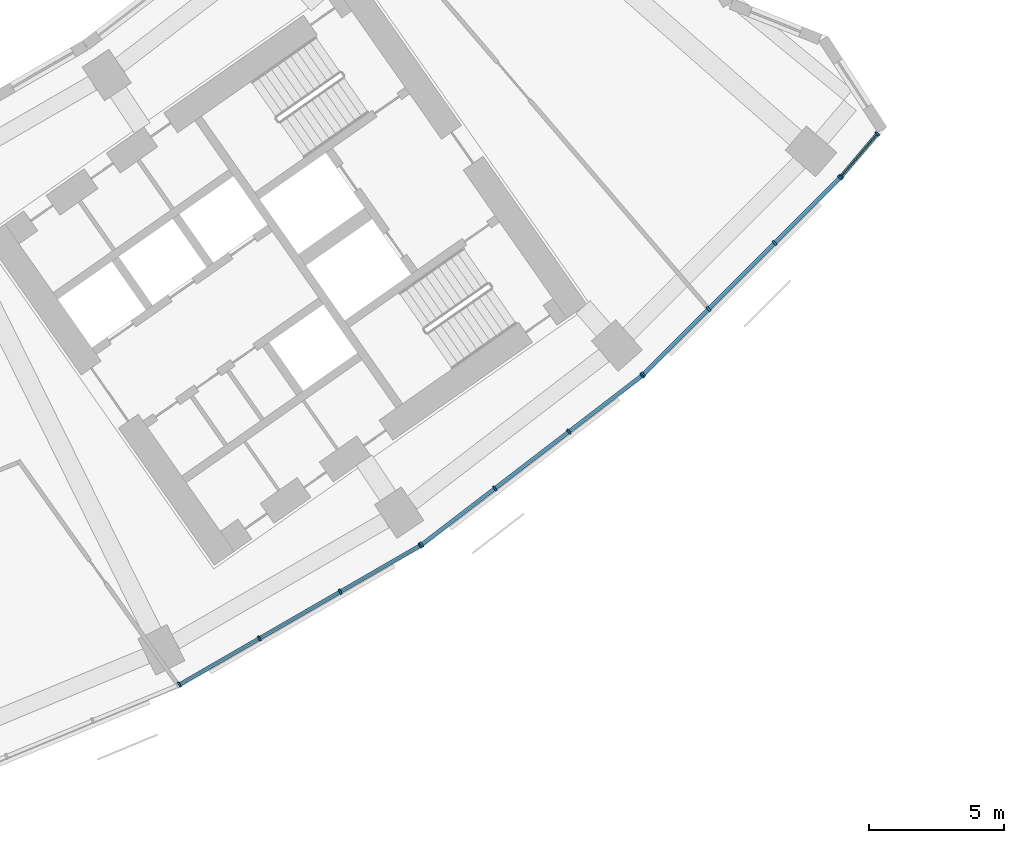
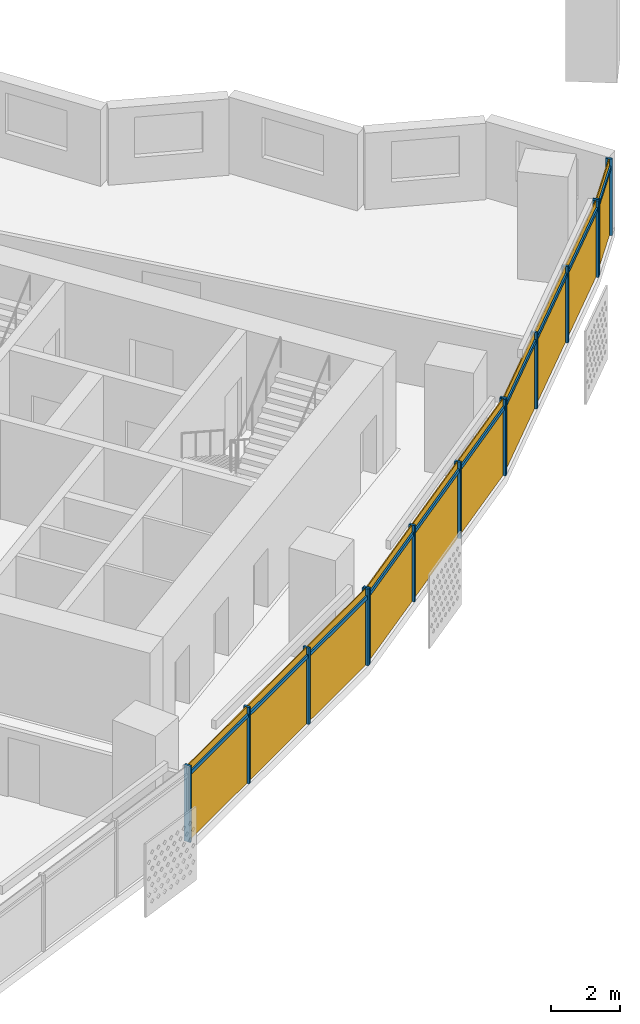
# One storey, part 22 of 29: 24 members, 4 curtain walls.
"""IFC4 building model written with IfcOpenShell, lengths in metres."""

from ifc_helpers import new_model, si_unit, direction, frame, origin, origin_2d, place, context, subcontext, project, spatial, rectangle, extrude, material, material_profile, profile_set, type_object, element, aggregate, save


model = new_model("IFC4")

# Units and contexts
model_context = context("Model", 3, precision=1e-05, world=origin(), true_north=direction((0.0, 1.0)))
body_context = subcontext(model_context, "Body", "Model", "MODEL_VIEW")
ifc_project = project(units=[si_unit("LENGTHUNIT", "METRE"), si_unit("AREAUNIT", "SQUARE_METRE"), si_unit("VOLUMEUNIT", "CUBIC_METRE"), si_unit("PLANEANGLEUNIT", "RADIAN"), si_unit("MASSUNIT", "GRAM", prefix="KILO")], contexts=[model_context])

# Member
ifc_material = material(Name="Aluminium 6063-T6 anodised", Category="aluminium")
ifc_material_profile_1 = material_profile(ifc_material, rectangle(XDim=0.199951171875, YDim=0.070068359375, at=origin_2d()))
ifc_profile_set_1 = profile_set([ifc_material_profile_1], Name="Aluminium 6063-T6 anodised")
member_type_1 = type_object("IfcMemberType", Name="Mullion 70 x 200 aluminium", PredefinedType="MULLION", material=ifc_profile_set_1)
site_placement = place(None, origin())
building_placement = place(site_placement, origin())
storey_placement = place(building_placement, frame((0.0, 0.0, 113.89990234375)))
member_1_placement = place(storey_placement, frame((35.0537109375, -71.017822265625, 0.0), z_axis=(0.0, 0.0, 1.0), x_axis=(-0.5, 0.866025403784, 0.0)))
member_1 = element("IfcMember", 1, at=member_1_placement, type_object=member_type_1, Name="e-cw1-L25-out13/M00", PredefinedType="MULLION", context=body_context, shape_type="SweptSolid", body=[
    extrude(rectangle(XDim=0.199951171875, YDim=0.070068359375, at=origin_2d()), origin(), (0.0, 0.0, 1.0), 2.7001953125),
])

member_2_placement = place(storey_placement, frame((38.017822265625, -69.306640625, 0.0), z_axis=(0.0, 0.0, 1.0), x_axis=(-0.5, 0.866025403784, 0.0)))
member_2 = element("IfcMember", 2, at=member_2_placement, type_object=member_type_1, Name="e-cw1-L25-out13/M01", PredefinedType="MULLION", context=body_context, shape_type="SweptSolid", body=[
    extrude(rectangle(XDim=0.199951171875, YDim=0.070068359375, at=origin_2d()), origin(), (0.0, 0.0, 1.0), 2.7001953125),
])

member_3_placement = place(storey_placement, frame((41.01220703125, -67.577880859375, 0.0), z_axis=(0.0, 0.0, 1.0), x_axis=(-0.5, 0.866025403784, 0.0)))
member_3 = element("IfcMember", 3, at=member_3_placement, type_object=member_type_1, Name="e-cw1-L25-out13/M02", PredefinedType="MULLION", context=body_context, shape_type="SweptSolid", body=[
    extrude(rectangle(XDim=0.199951171875, YDim=0.070068359375, at=origin_2d()), origin(), (0.0, 0.0, 1.0), 2.7001953125),
])

member_4_placement = place(storey_placement, frame((43.976318359375, -65.866455078125, 0.0), z_axis=(0.0, 0.0, 1.0), x_axis=(-0.5, 0.866025403784, 0.0)))
member_4 = element("IfcMember", 4, at=member_4_placement, type_object=member_type_1, Name="e-cw1-L25-out13/M03", PredefinedType="MULLION", context=body_context, shape_type="SweptSolid", body=[
    extrude(rectangle(XDim=0.199951171875, YDim=0.070068359375, at=origin_2d()), origin(), (0.0, 0.0, 1.0), 2.7001953125),
])

member_5_placement = place(storey_placement, frame((44.023681640625, -65.8349609375, 0.0), z_axis=(0.0, 0.0, 1.0), x_axis=(-0.608761429009, 0.793353340291, 0.0)))
member_5 = element("IfcMember", 5, at=member_5_placement, type_object=member_type_1, Name="e-cw1-L25-out14/M00", PredefinedType="MULLION", context=body_context, shape_type="SweptSolid", body=[
    extrude(rectangle(XDim=0.199951171875, YDim=0.070068359375, at=origin_2d()), origin(), (0.0, 0.0, 1.0), 2.7001953125),
])

member_6_placement = place(storey_placement, frame((46.739013671875, -63.751220703125, 0.0), z_axis=(0.0, 0.0, 1.0), x_axis=(-0.608761429009, 0.793353340291, 0.0)))
member_6 = element("IfcMember", 6, at=member_6_placement, type_object=member_type_1, Name="e-cw1-L25-out14/M01", PredefinedType="MULLION", context=body_context, shape_type="SweptSolid", body=[
    extrude(rectangle(XDim=0.199951171875, YDim=0.070068359375, at=origin_2d()), origin(), (0.0, 0.0, 1.0), 2.7001953125),
])

member_7_placement = place(storey_placement, frame((49.482177734375, -61.646484375, 0.0), z_axis=(0.0, 0.0, 1.0), x_axis=(-0.608761429009, 0.793353340291, 0.0)))
member_7 = element("IfcMember", 7, at=member_7_placement, type_object=member_type_1, Name="e-cw1-L25-out14/M02", PredefinedType="MULLION", context=body_context, shape_type="SweptSolid", body=[
    extrude(rectangle(XDim=0.199951171875, YDim=0.070068359375, at=origin_2d()), origin(), (0.0, 0.0, 1.0), 2.7001953125),
])

member_8_placement = place(storey_placement, frame((52.197509765625, -59.56298828125, 0.0), z_axis=(0.0, 0.0, 1.0), x_axis=(-0.608761429009, 0.793353340291, 0.0)))
member_8 = element("IfcMember", 8, at=member_8_placement, type_object=member_type_1, Name="e-cw1-L25-out14/M03", PredefinedType="MULLION", context=body_context, shape_type="SweptSolid", body=[
    extrude(rectangle(XDim=0.199951171875, YDim=0.070068359375, at=origin_2d()), origin(), (0.0, 0.0, 1.0), 2.7001953125),
])

member_9_placement = place(storey_placement, frame((52.240234375, -59.525390625, 0.0), z_axis=(0.0, 0.0, 1.0), x_axis=(-0.707106781187, 0.707106781187, 0.0)))
member_9 = element("IfcMember", 9, at=member_9_placement, type_object=member_type_1, Name="e-cw1-L25-out15/M00", PredefinedType="MULLION", context=body_context, shape_type="SweptSolid", body=[
    extrude(rectangle(XDim=0.199951171875, YDim=0.070068359375, at=origin_2d()), origin(), (0.0, 0.0, 1.0), 2.7001953125),
])

member_10_placement = place(storey_placement, frame((54.660400390625, -57.105224609375, 0.0), z_axis=(0.0, 0.0, 1.0), x_axis=(-0.707106781187, 0.707106781187, 0.0)))
member_10 = element("IfcMember", 10, at=member_10_placement, type_object=member_type_1, Name="e-cw1-L25-out15/M01", PredefinedType="MULLION", context=body_context, shape_type="SweptSolid", body=[
    extrude(rectangle(XDim=0.199951171875, YDim=0.070068359375, at=origin_2d()), origin(), (0.0, 0.0, 1.0), 2.7001953125),
])

member_11_placement = place(storey_placement, frame((57.105224609375, -54.660400390625, 0.0), z_axis=(0.0, 0.0, 1.0), x_axis=(-0.707106781187, 0.707106781187, 0.0)))
member_11 = element("IfcMember", 11, at=member_11_placement, type_object=member_type_1, Name="e-cw1-L25-out15/M02", PredefinedType="MULLION", context=body_context, shape_type="SweptSolid", body=[
    extrude(rectangle(XDim=0.199951171875, YDim=0.070068359375, at=origin_2d()), origin(), (0.0, 0.0, 1.0), 2.7001953125),
])

member_12_placement = place(storey_placement, frame((59.525390625, -52.240234375, 0.0), z_axis=(0.0, 0.0, 1.0), x_axis=(-0.707106781187, 0.707106781187, 0.0)))
member_12 = element("IfcMember", 12, at=member_12_placement, type_object=member_type_1, Name="e-cw1-L25-out15/M03", PredefinedType="MULLION", context=body_context, shape_type="SweptSolid", body=[
    extrude(rectangle(XDim=0.199951171875, YDim=0.070068359375, at=origin_2d()), origin(), (0.0, 0.0, 1.0), 2.7001953125),
])

member_13_placement = place(storey_placement, frame((59.5673828125, -52.19482421875, 0.0), z_axis=(0.0, 0.0, 1.0), x_axis=(-0.762284036665, 0.647242649588, 0.0)))
member_13 = element("IfcMember", 13, at=member_13_placement, type_object=member_type_1, Name="e-cw1-L25-out16/M00", PredefinedType="MULLION", context=body_context, shape_type="SweptSolid", body=[
    extrude(rectangle(XDim=0.199951171875, YDim=0.070068359375, at=origin_2d()), origin(), (0.0, 0.0, 1.0), 2.7001953125),
])

member_14_placement = place(storey_placement, frame((60.913818359375, -50.60888671875, 0.0), z_axis=(0.0, 0.0, 1.0), x_axis=(-0.762284036665, 0.647242649588, 0.0)))
member_14 = element("IfcMember", 14, at=member_14_placement, type_object=member_type_1, Name="e-cw1-L25-out16/M01", PredefinedType="MULLION", context=body_context, shape_type="SweptSolid", body=[
    extrude(rectangle(XDim=0.199951171875, YDim=0.070068359375, at=origin_2d()), origin(), (0.0, 0.0, 1.0), 2.7001953125),
])

ifc_material_profile_2 = material_profile(ifc_material, rectangle(XDim=0.139892578125, YDim=0.1201171875, at=origin_2d()))
ifc_profile_set_2 = profile_set([ifc_material_profile_2], Name="Aluminium 6063-T6 anodised")
member_type_2 = type_object("IfcMemberType", Name="Transom 120 x 140 aluminium", PredefinedType="USERDEFINED", material=ifc_profile_set_2)
member_15_placement = place(storey_placement, frame((35.084228515625, -71.00048828125, 2.400146484375), z_axis=(0.865989120267, 0.50006283963, 0.0), x_axis=(-0.50006283963, 0.865989120267, 0.0)))
member_15 = element("IfcMember", 15, at=member_15_placement, type_object=member_type_2, Name="e-cw1-L25-out13/T00", ObjectType="TRANSOM", PredefinedType="USERDEFINED", context=body_context, shape_type="SweptSolid", body=[
    extrude(rectangle(XDim=0.139892578125, YDim=0.1201171875, at=origin_2d()), origin(), (0.0, 0.0, 1.0), 3.3525390625),
])

member_16_placement = place(storey_placement, frame((38.048095703125, -69.2890625, 2.400146484375), z_axis=(0.866025971257, 0.499999017107, 0.0), x_axis=(-0.499999017107, 0.866025971257, 0.0)))
member_16 = element("IfcMember", 16, at=member_16_placement, type_object=member_type_2, Name="e-cw1-L25-out13/T01", ObjectType="TRANSOM", PredefinedType="USERDEFINED", context=body_context, shape_type="SweptSolid", body=[
    extrude(rectangle(XDim=0.139892578125, YDim=0.1201171875, at=origin_2d()), origin(), (0.0, 0.0, 1.0), 3.3876953125),
])

member_17_placement = place(storey_placement, frame((41.042724609375, -67.560302734375, 2.400146484375), z_axis=(0.866020654818, 0.50000822536, 0.0), x_axis=(-0.50000822536, 0.866020654818, 0.0)))
member_17 = element("IfcMember", 17, at=member_17_placement, type_object=member_type_2, Name="e-cw1-L25-out13/T02", ObjectType="TRANSOM", PredefinedType="USERDEFINED", context=body_context, shape_type="SweptSolid", body=[
    extrude(rectangle(XDim=0.139892578125, YDim=0.1201171875, at=origin_2d()), origin(), (0.0, 0.0, 1.0), 3.3525390625),
])

member_18_placement = place(storey_placement, frame((44.05126953125, -65.8134765625, 2.400146484375), z_axis=(0.793389477316, 0.608714331426, 0.0), x_axis=(-0.608714331426, 0.793389477316, 0.0)))
member_18 = element("IfcMember", 18, at=member_18_placement, type_object=member_type_2, Name="e-cw1-L25-out14/T00", ObjectType="TRANSOM", PredefinedType="USERDEFINED", context=body_context, shape_type="SweptSolid", body=[
    extrude(rectangle(XDim=0.139892578125, YDim=0.1201171875, at=origin_2d()), origin(), (0.0, 0.0, 1.0), 3.3525390625),
])

member_19_placement = place(storey_placement, frame((46.766845703125, -63.72998046875, 2.400146484375), z_axis=(0.793344133173, 0.608773427772, 0.0), x_axis=(-0.608773427772, 0.793344133173, 0.0)))
member_19 = element("IfcMember", 19, at=member_19_placement, type_object=member_type_2, Name="e-cw1-L25-out14/T01", ObjectType="TRANSOM", PredefinedType="USERDEFINED", context=body_context, shape_type="SweptSolid", body=[
    extrude(rectangle(XDim=0.139892578125, YDim=0.1201171875, at=origin_2d()), origin(), (0.0, 0.0, 1.0), 3.387451171875),
])

member_20_placement = place(storey_placement, frame((49.509765625, -61.625244140625, 2.400146484375), z_axis=(0.793354308621, 0.608760167055, 0.0), x_axis=(-0.608760167055, 0.793354308621, 0.0)))
member_20 = element("IfcMember", 20, at=member_20_placement, type_object=member_type_2, Name="e-cw1-L25-out14/T02", ObjectType="TRANSOM", PredefinedType="USERDEFINED", context=body_context, shape_type="SweptSolid", body=[
    extrude(rectangle(XDim=0.139892578125, YDim=0.1201171875, at=origin_2d()), origin(), (0.0, 0.0, 1.0), 3.352783203125),
])

member_21_placement = place(storey_placement, frame((52.264892578125, -59.500732421875, 2.400146484375), z_axis=(0.707106781187, 0.707106781187, 0.0), x_axis=(-0.707106781187, 0.707106781187, 0.0)))
member_21 = element("IfcMember", 21, at=member_21_placement, type_object=member_type_2, Name="e-cw1-L25-out15/T00", ObjectType="TRANSOM", PredefinedType="USERDEFINED", context=body_context, shape_type="SweptSolid", body=[
    extrude(rectangle(XDim=0.139892578125, YDim=0.1201171875, at=origin_2d()), origin(), (0.0, 0.0, 1.0), 3.3525390625),
])

member_22_placement = place(storey_placement, frame((54.68505859375, -57.08056640625, 2.400146484375), z_axis=(0.707106781187, 0.707106781187, 0.0), x_axis=(-0.707106781187, 0.707106781187, 0.0)))
member_22 = element("IfcMember", 22, at=member_22_placement, type_object=member_type_2, Name="e-cw1-L25-out15/T01", ObjectType="TRANSOM", PredefinedType="USERDEFINED", context=body_context, shape_type="SweptSolid", body=[
    extrude(rectangle(XDim=0.139892578125, YDim=0.1201171875, at=origin_2d()), origin(), (0.0, 0.0, 1.0), 3.3876953125),
])

member_23_placement = place(storey_placement, frame((57.130126953125, -54.635498046875, 2.400146484375), z_axis=(0.707106781187, 0.707106781187, 0.0), x_axis=(-0.707106781187, 0.707106781187, 0.0)))
member_23 = element("IfcMember", 23, at=member_23_placement, type_object=member_type_2, Name="e-cw1-L25-out15/T02", ObjectType="TRANSOM", PredefinedType="USERDEFINED", context=body_context, shape_type="SweptSolid", body=[
    extrude(rectangle(XDim=0.139892578125, YDim=0.1201171875, at=origin_2d()), origin(), (0.0, 0.0, 1.0), 3.3525390625),
])

member_24_placement = place(storey_placement, frame((59.590087890625, -52.16796875, 2.400146484375), z_axis=(0.647193537745, 0.762325733989, 0.0), x_axis=(-0.762325733989, 0.647193537745, 0.0)))
member_24 = element("IfcMember", 24, at=member_24_placement, type_object=member_type_2, Name="e-cw1-L25-out16/T00", ObjectType="TRANSOM", PredefinedType="USERDEFINED", context=body_context, shape_type="SweptSolid", body=[
    extrude(rectangle(XDim=0.139892578125, YDim=0.1201171875, at=origin_2d()), origin(), (0.0, 0.0, 1.0), 2.01025390625),
])

# Site, building, storey
site = spatial("IfcSite", under=ifc_project, at=site_placement, CompositionType="ELEMENT")
building = spatial("IfcBuilding", under=site, at=building_placement, Name="Qamariyya Broadcast Tower", CompositionType="ELEMENT")
storey = spatial("IfcBuildingStorey", under=building, at=storey_placement, Name="L25", CompositionType="ELEMENT", Elevation=113.89990234375)

# Curtain wall
curtain_wall_type = type_object("IfcCurtainWallType", Name="Unitised curtain wall, anodised aluminium", PredefinedType="NOTDEFINED", material=ifc_material)
curtain_wall_1_placement = place(storey_placement, origin())
curtain_wall_1 = element("IfcCurtainWall", 25, at=curtain_wall_1_placement, inside=storey, type_object=curtain_wall_type, Name="e-cw1-L25-out13", PredefinedType="NOTDEFINED", context=body_context, shape_type="SweptSolid", body=[
    extrude(rectangle(XDim=3.352783203125, YDim=0.031982421875, at=origin_2d()), frame((36.535888671875, -70.162109375, 0.0), x_axis=(0.866027243369, 0.499996813733, 0.0)), (0.0, 0.0, 1.0), 2.340087890625),
    extrude(rectangle(XDim=3.352783203125, YDim=0.031982421875, at=origin_2d()), frame((36.535888671875, -70.162109375, 2.460205078125), x_axis=(0.866027243369, 0.499996813733, 0.0)), (0.0, 0.0, 1.0), 0.239990234375),
    extrude(rectangle(XDim=3.3876953125, YDim=0.031982421875, at=origin_2d()), frame((39.51513671875, -68.442138671875, 0.0), x_axis=(0.866027243369, 0.499996813733, 0.0)), (0.0, 0.0, 1.0), 2.340087890625),
    extrude(rectangle(XDim=3.3876953125, YDim=0.031982421875, at=origin_2d()), frame((39.51513671875, -68.442138671875, 2.460205078125), x_axis=(0.866027243369, 0.499996813733, 0.0)), (0.0, 0.0, 1.0), 0.239990234375),
    extrude(rectangle(XDim=3.352783203125, YDim=0.031982421875, at=origin_2d()), frame((42.494384765625, -66.72216796875, 0.0), x_axis=(0.866027243369, 0.499996813733, 0.0)), (0.0, 0.0, 1.0), 2.340087890625),
    extrude(rectangle(XDim=3.352783203125, YDim=0.031982421875, at=origin_2d()), frame((42.494384765625, -66.72216796875, 2.460205078125), x_axis=(0.866027243369, 0.499996813733, 0.0)), (0.0, 0.0, 1.0), 0.239990234375),
])

aggregate(curtain_wall_1, [member_1, member_2, member_3, member_4, member_15, member_16, member_17])

curtain_wall_2_placement = place(storey_placement, origin())
curtain_wall_2 = element("IfcCurtainWall", 26, at=curtain_wall_2_placement, inside=storey, type_object=curtain_wall_type, Name="e-cw1-L25-out14", PredefinedType="NOTDEFINED", context=body_context, shape_type="SweptSolid", body=[
    extrude(rectangle(XDim=3.352783203125, YDim=0.031982421875, at=origin_2d()), frame((45.38134765625, -64.793212890625, 0.0), x_axis=(0.793354000839, 0.608760568165, 0.0)), (0.0, 0.0, 1.0), 2.340087890625),
    extrude(rectangle(XDim=3.352783203125, YDim=0.031982421875, at=origin_2d()), frame((45.38134765625, -64.793212890625, 2.460205078125), x_axis=(0.793354000839, 0.608760568165, 0.0)), (0.0, 0.0, 1.0), 0.239990234375),
    extrude(rectangle(XDim=3.3876953125, YDim=0.031982421875, at=origin_2d()), frame((48.110595703125, -62.69873046875, 0.0), x_axis=(0.793354000839, 0.608760568165, 0.0)), (0.0, 0.0, 1.0), 2.340087890625),
    extrude(rectangle(XDim=3.3876953125, YDim=0.031982421875, at=origin_2d()), frame((48.110595703125, -62.69873046875, 2.460205078125), x_axis=(0.793354000839, 0.608760568165, 0.0)), (0.0, 0.0, 1.0), 0.239990234375),
    extrude(rectangle(XDim=3.352783203125, YDim=0.031982421875, at=origin_2d()), frame((50.83984375, -60.6044921875, 0.0), x_axis=(0.793354000839, 0.608760568165, 0.0)), (0.0, 0.0, 1.0), 2.340087890625),
    extrude(rectangle(XDim=3.352783203125, YDim=0.031982421875, at=origin_2d()), frame((50.83984375, -60.6044921875, 2.460205078125), x_axis=(0.793354000839, 0.608760568165, 0.0)), (0.0, 0.0, 1.0), 0.239990234375),
])

aggregate(curtain_wall_2, [member_5, member_6, member_7, member_8, member_18, member_19, member_20])

curtain_wall_3_placement = place(storey_placement, origin())
curtain_wall_3 = element("IfcCurtainWall", 27, at=curtain_wall_3_placement, inside=storey, type_object=curtain_wall_type, Name="e-cw1-L25-out15", PredefinedType="NOTDEFINED", context=body_context, shape_type="SweptSolid", body=[
    extrude(rectangle(XDim=3.352783203125, YDim=0.031982421875, at=origin_2d()), frame((53.4501953125, -58.3154296875, 0.0), x_axis=(0.707106781187, 0.707106781187, 0.0)), (0.0, 0.0, 1.0), 2.340087890625),
    extrude(rectangle(XDim=3.352783203125, YDim=0.031982421875, at=origin_2d()), frame((53.4501953125, -58.3154296875, 2.460205078125), x_axis=(0.707106781187, 0.707106781187, 0.0)), (0.0, 0.0, 1.0), 0.239990234375),
    extrude(rectangle(XDim=3.3876953125, YDim=0.031982421875, at=origin_2d()), frame((55.8828125, -55.8828125, 0.0), x_axis=(0.707106781187, 0.707106781187, 0.0)), (0.0, 0.0, 1.0), 2.340087890625),
    extrude(rectangle(XDim=3.3876953125, YDim=0.031982421875, at=origin_2d()), frame((55.8828125, -55.8828125, 2.460205078125), x_axis=(0.707106781187, 0.707106781187, 0.0)), (0.0, 0.0, 1.0), 0.239990234375),
    extrude(rectangle(XDim=3.352783203125, YDim=0.031982421875, at=origin_2d()), frame((58.3154296875, -53.4501953125, 0.0), x_axis=(0.707106781187, 0.707106781187, 0.0)), (0.0, 0.0, 1.0), 2.340087890625),
    extrude(rectangle(XDim=3.352783203125, YDim=0.031982421875, at=origin_2d()), frame((58.3154296875, -53.4501953125, 2.460205078125), x_axis=(0.707106781187, 0.707106781187, 0.0)), (0.0, 0.0, 1.0), 0.239990234375),
])

aggregate(curtain_wall_3, [member_9, member_10, member_11, member_12, member_21, member_22, member_23])

curtain_wall_4_placement = place(storey_placement, origin())
curtain_wall_4 = element("IfcCurtainWall", 28, at=curtain_wall_4_placement, inside=storey, type_object=curtain_wall_type, Name="e-cw1-L25-out16", PredefinedType="NOTDEFINED", context=body_context, shape_type="SweptSolid", body=[
    extrude(rectangle(XDim=2.01025390625, YDim=0.031982421875, at=origin_2d()), frame((60.24072265625, -51.40185546875, 0.0), x_axis=(0.647259451682, 0.762269769969, 0.0)), (0.0, 0.0, 1.0), 2.340087890625),
    extrude(rectangle(XDim=2.01025390625, YDim=0.031982421875, at=origin_2d()), frame((60.24072265625, -51.40185546875, 2.460205078125), x_axis=(0.647259451682, 0.762269769969, 0.0)), (0.0, 0.0, 1.0), 0.239990234375),
])

aggregate(curtain_wall_4, [member_13, member_14, member_24])

save(model, "model.ifc")
